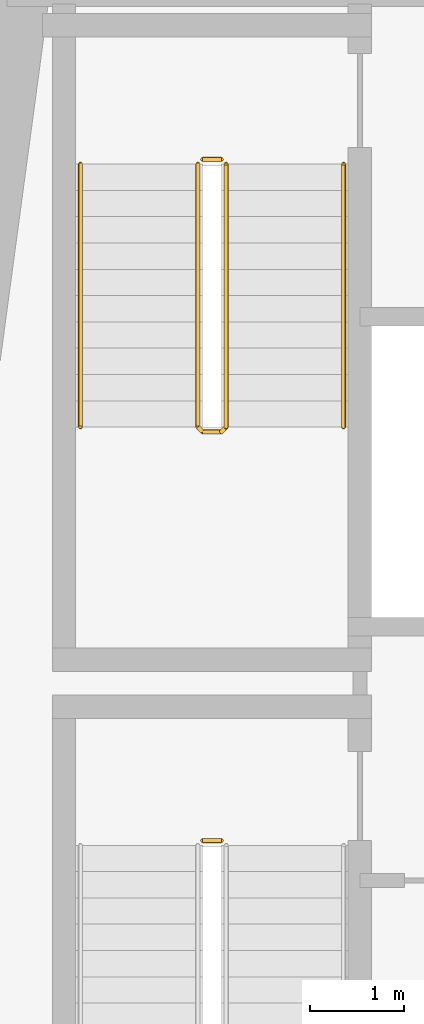
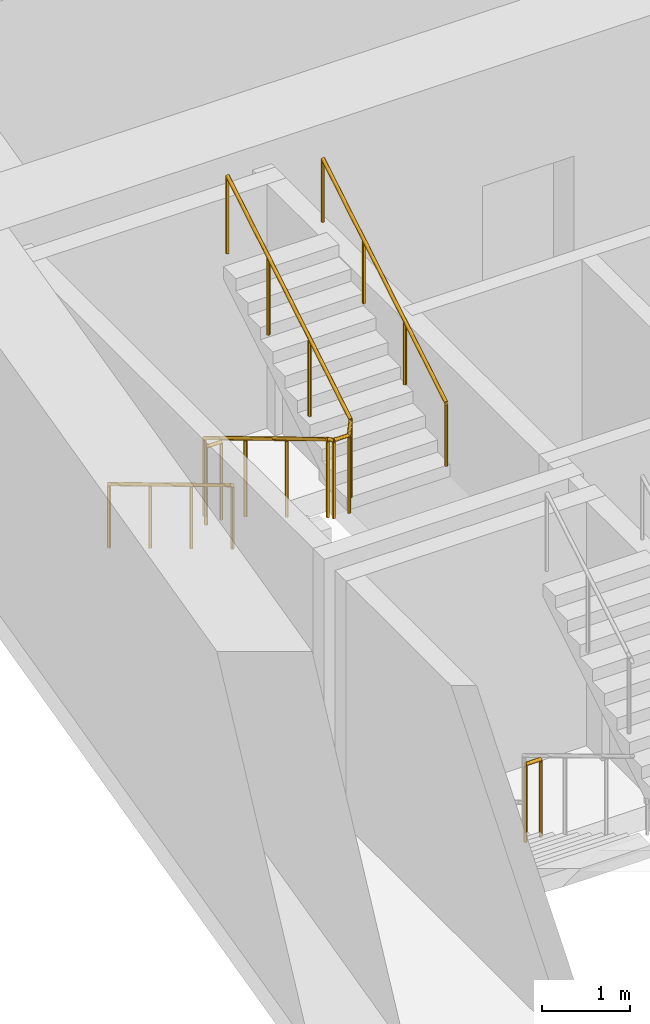
# One storey, part 11 of 14: 5 railings.
"""IFC4 building model written with IfcOpenShell, lengths in metres."""

from ifc_helpers import new_model, si_unit, direction, frame, origin, origin_2d, place, context, subcontext, project, spatial, circle, extrude, material, type_object, element, save


model = new_model("IFC4")

# Units and contexts
model_context = context("Model", 3, precision=1e-05, world=origin(), true_north=direction((0.0, 1.0)))
body_context = subcontext(model_context, "Body", "Model", "MODEL_VIEW")
ifc_project = project(units=[si_unit("LENGTHUNIT", "METRE"), si_unit("AREAUNIT", "SQUARE_METRE"), si_unit("VOLUMEUNIT", "CUBIC_METRE"), si_unit("PLANEANGLEUNIT", "RADIAN"), si_unit("MASSUNIT", "GRAM", prefix="KILO")], contexts=[model_context])

# Site, building, storey
site_placement = place(None, origin())
site = spatial("IfcSite", under=ifc_project, at=site_placement, CompositionType="ELEMENT")
building_placement = place(site_placement, origin())
building = spatial("IfcBuilding", under=site, at=building_placement, Name="Candeia Pilgrim Tower and Theatre", CompositionType="ELEMENT")
storey_placement = place(building_placement, frame((0.0, 0.0, 116.89990234375)))
storey = spatial("IfcBuildingStorey", under=building, at=storey_placement, Name="L27", CompositionType="ELEMENT", Elevation=116.89990234375)

# Railings
ifc_material_1 = material(Name="Stainless steel balustrade", Category="steel")
railing_type_1 = type_object("IfcRailingType", Name="RL-GUARD-1100", PredefinedType="GUARDRAIL", material=ifc_material_1)
railing_1_placement = place(storey_placement, frame((91.152099609375, 122.52490234375, 0.0)))
element("IfcRailing", 1, at=railing_1_placement, inside=storey, type_object=railing_type_1, Name="L27 ST1 stair guard 2", PredefinedType="GUARDRAIL", context=body_context, shape_type="SweptSolid", body=[
    extrude(circle(Radius=0.02392578125, at=origin_2d()), frame((0.0, 0.0, 1.076171875), z_axis=(1.0, 0.0, 0.0), x_axis=(0.0, 1.0, 0.0)), (0.0, 0.0, 1.0), 0.199951171875),
    extrude(circle(Radius=0.02099609375, at=origin_2d()), origin(), (0.0, 0.0, 1.0), 1.052001953125),
    extrude(circle(Radius=0.02099609375, at=origin_2d()), frame((0.199951171875, 0.0, 0.0)), (0.0, 0.0, 1.0), 1.052001953125),
])
railing_2_placement = place(storey_placement, frame((91.10205078125, 129.72509765625, 0.168212890625)))
element("IfcRailing", 2, at=railing_2_placement, inside=storey, type_object=railing_type_1, Name="L27 ST2 stair guard 1", PredefinedType="GUARDRAIL", context=body_context, shape_type="SweptSolid", body=[
    extrude(circle(Radius=0.02392578125, at=origin_2d()), frame((0.0, 0.0, 1.076171875), z_axis=(0.0, -0.857242210791, 0.514913383045), x_axis=(1.0, 0.0, 0.0)), (0.0, 0.0, 1.0), 3.266357421875),
    extrude(circle(Radius=0.02392578125, at=origin_2d()), frame((0.0, -2.800048828125, 2.7578125), z_axis=(0.707106781187, -0.707106781187, 0.0), x_axis=(0.707106781187, 0.707106781187, 0.0)), (0.0, 0.0, 1.0), 0.07080078125),
    extrude(circle(Radius=0.02392578125, at=origin_2d()), frame((0.050048828125, -2.85009765625, 2.7578125), z_axis=(1.0, 0.0, 0.0), x_axis=(0.0, 1.0, 0.0)), (0.0, 0.0, 1.0), 0.199951171875),
    extrude(circle(Radius=0.02392578125, at=origin_2d()), frame((0.25, -2.85009765625, 2.7578125), z_axis=(0.274243871929, 0.274243871929, 0.92172696468), x_axis=(-0.707106781187, 0.707106781187, 0.0)), (0.0, 0.0, 1.0), 0.1826171875),
    extrude(circle(Radius=0.02392578125, at=origin_2d()), frame((0.300048828125, -2.800048828125, 2.92626953125), z_axis=(0.0, 0.857242210791, 0.514913383045), x_axis=(-1.0, 0.0, 0.0)), (0.0, 0.0, 1.0), 3.266357421875),
    extrude(circle(Radius=0.02099609375, at=origin_2d()), origin(), (0.0, 0.0, 1.0), 1.052001953125),
    extrude(circle(Radius=0.02099609375, at=origin_2d()), frame((0.0, -0.933349609375, 0.560546875)), (0.0, 0.0, 1.0), 1.052001953125),
    extrude(circle(Radius=0.02099609375, at=origin_2d()), frame((0.0, -1.86669921875, 1.121337890625)), (0.0, 0.0, 1.0), 1.052001953125),
    extrude(circle(Radius=0.02099609375, at=origin_2d()), frame((0.0, -2.800048828125, 1.681884765625)), (0.0, 0.0, 1.0), 1.052001953125),
    extrude(circle(Radius=0.02099609375, at=origin_2d()), frame((0.050048828125, -2.85009765625, 1.681884765625)), (0.0, 0.0, 1.0), 1.052001953125),
    extrude(circle(Radius=0.02099609375, at=origin_2d()), frame((0.25, -2.85009765625, 1.681884765625)), (0.0, 0.0, 1.0), 1.052001953125),
    extrude(circle(Radius=0.02099609375, at=origin_2d()), frame((0.300048828125, -2.800048828125, 1.85009765625)), (0.0, 0.0, 1.0), 1.052001953125),
    extrude(circle(Radius=0.02099609375, at=origin_2d()), frame((0.300048828125, -1.86669921875, 2.41064453125)), (0.0, 0.0, 1.0), 1.052001953125),
    extrude(circle(Radius=0.02099609375, at=origin_2d()), frame((0.300048828125, -0.933349609375, 2.971435546875)), (0.0, 0.0, 1.0), 1.052001953125),
    extrude(circle(Radius=0.02099609375, at=origin_2d()), frame((0.300048828125, 0.0, 3.531982421875)), (0.0, 0.0, 1.0), 1.052001953125),
])
railing_3_placement = place(storey_placement, frame((91.152099609375, 129.77490234375, 0.0)))
element("IfcRailing", 3, at=railing_3_placement, inside=storey, type_object=railing_type_1, Name="L27 ST2 stair guard 2", PredefinedType="GUARDRAIL", context=body_context, shape_type="SweptSolid", body=[
    extrude(circle(Radius=0.02392578125, at=origin_2d()), frame((0.0, 0.0, 1.076171875), z_axis=(1.0, 0.0, 0.0), x_axis=(0.0, 1.0, 0.0)), (0.0, 0.0, 1.0), 0.199951171875),
    extrude(circle(Radius=0.02099609375, at=origin_2d()), origin(), (0.0, 0.0, 1.0), 1.052001953125),
    extrude(circle(Radius=0.02099609375, at=origin_2d()), frame((0.199951171875, 0.0, 0.0)), (0.0, 0.0, 1.0), 1.052001953125),
])
ifc_material_2 = material(Name="Stainless steel handrail", Category="steel")
railing_type_2 = type_object("IfcRailingType", Name="RL-HANDRAIL-900", PredefinedType="HANDRAIL", material=ifc_material_2)
railing_4_placement = place(storey_placement, frame((89.85205078125, 129.72509765625, 0.168212890625)))
element("IfcRailing", 4, at=railing_4_placement, inside=storey, type_object=railing_type_2, Name="L27 ST2 stair handrail 1", PredefinedType="HANDRAIL", context=body_context, shape_type="SweptSolid", body=[
    extrude(circle(Radius=0.02392578125, at=origin_2d()), frame((0.0, 0.0, 0.8759765625), z_axis=(0.0, -0.857242210791, 0.514913383045), x_axis=(1.0, 0.0, 0.0)), (0.0, 0.0, 1.0), 3.266357421875),
    extrude(circle(Radius=0.02099609375, at=origin_2d()), origin(), (0.0, 0.0, 1.0), 0.851806640625),
    extrude(circle(Radius=0.02099609375, at=origin_2d()), frame((0.0, -0.933349609375, 0.560546875)), (0.0, 0.0, 1.0), 0.851806640625),
    extrude(circle(Radius=0.02099609375, at=origin_2d()), frame((0.0, -1.86669921875, 1.121337890625)), (0.0, 0.0, 1.0), 0.851806640625),
    extrude(circle(Radius=0.02099609375, at=origin_2d()), frame((0.0, -2.800048828125, 1.681884765625)), (0.0, 0.0, 1.0), 0.851806640625),
])
railing_5_placement = place(storey_placement, frame((92.652099609375, 126.925048828125, 2.018310546875)))
element("IfcRailing", 5, at=railing_5_placement, inside=storey, type_object=railing_type_2, Name="L27 ST2 stair handrail 2", PredefinedType="HANDRAIL", context=body_context, shape_type="SweptSolid", body=[
    extrude(circle(Radius=0.02392578125, at=origin_2d()), frame((0.0, 0.0, 0.8759765625), z_axis=(0.0, 0.857242210791, 0.514913383045), x_axis=(-1.0, 0.0, 0.0)), (0.0, 0.0, 1.0), 3.266357421875),
    extrude(circle(Radius=0.02099609375, at=origin_2d()), origin(), (0.0, 0.0, 1.0), 0.851806640625),
    extrude(circle(Radius=0.02099609375, at=origin_2d()), frame((0.0, 0.933349609375, 0.560546875)), (0.0, 0.0, 1.0), 0.851806640625),
    extrude(circle(Radius=0.02099609375, at=origin_2d()), frame((0.0, 1.86669921875, 1.121337890625)), (0.0, 0.0, 1.0), 0.851806640625),
    extrude(circle(Radius=0.02099609375, at=origin_2d()), frame((0.0, 2.800048828125, 1.681884765625)), (0.0, 0.0, 1.0), 0.851806640625),
])

save(model, "model.ifc")
